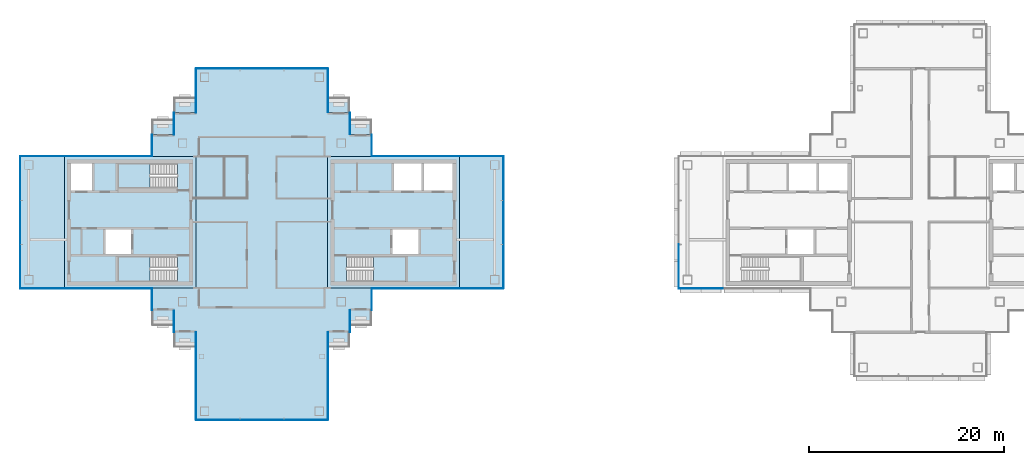
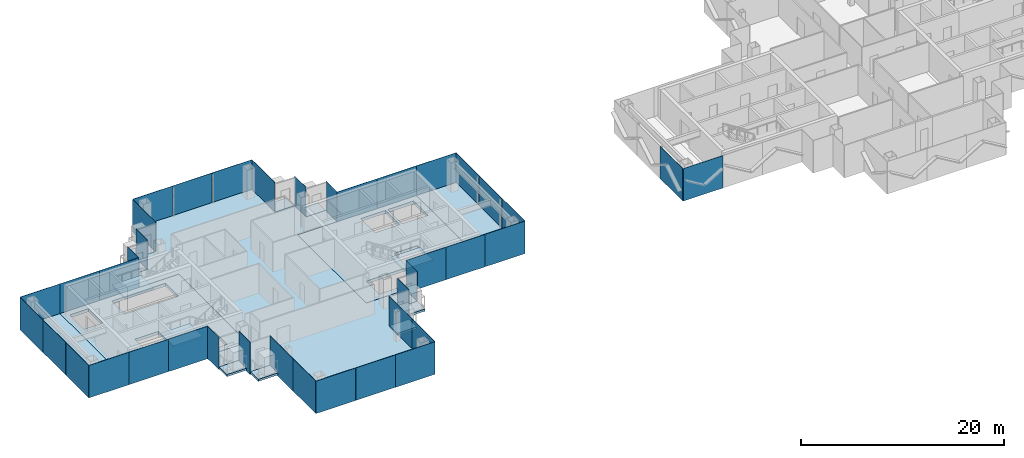
# One storey, part 7 of 17: 40 plates, 16 slabs, 25 elements without a shape of their own.
"""IFC4 building model written with IfcOpenShell, lengths in metres."""

from ifc_helpers import new_model, si_unit, direction, frame, origin, origin_2d, place, context, subcontext, project, spatial, polyline, rectangle, outline, extrude, material, layer, layer_set, type_object, element, aggregate, save


model = new_model("IFC4")

# Units and contexts
model_context = context("Model", 3, precision=1e-05, world=origin(), true_north=direction((0.0, 1.0)))
body_context = subcontext(model_context, "Body", "Model", "MODEL_VIEW")
ifc_project = project(units=[si_unit("LENGTHUNIT", "METRE"), si_unit("AREAUNIT", "SQUARE_METRE"), si_unit("VOLUMEUNIT", "CUBIC_METRE"), si_unit("PLANEANGLEUNIT", "RADIAN"), si_unit("MASSUNIT", "GRAM", prefix="KILO")], contexts=[model_context])

# Site, building, storey
site_placement = place(None, origin())
site = spatial("IfcSite", under=ifc_project, at=site_placement, CompositionType="ELEMENT")
building_placement = place(site_placement, origin())
building = spatial("IfcBuilding", under=site, at=building_placement, Name="Shamsa Quay Exchange Towers", CompositionType="ELEMENT")
storey_placement = place(building_placement, frame((0.0, 0.0, 249.89990234375)))
storey = spatial("IfcBuildingStorey", under=building, at=storey_placement, Name="L60", CompositionType="ELEMENT", Elevation=249.89990234375)

# Slabs
ifc_material_1 = material(Name="Precast concrete C40/50", Category="concrete")
ifc_layer_1 = layer(ifc_material_1, 0.25)
ifc_layer_set_1 = layer_set([ifc_layer_1], Name="BALCONY SLAB 250")
slab_type_1 = type_object("IfcSlabType", Name="BALCONY SLAB 250", PredefinedType="FLOOR", material=ifc_layer_set_1)
slab_1_placement = place(storey_placement, frame((0.0, 0.0, -0.25)))
element("IfcSlab", 1, at=slab_1_placement, inside=storey, type_object=slab_type_1, Name="Balcony T1-PKEN L60", PredefinedType="FLOOR", context=body_context, shape_type="SweptSolid", body=[
    extrude(outline(polyline([(-22.5, 9.0), (-24.7119140625, 9.0), (-24.7119140625, 10.550048828125), (-22.5, 10.550048828125), (-22.5, 9.0)])), origin(), (0.0, 0.0, 1.0), 0.25),
])
slab_2_placement = place(storey_placement, frame((0.0, 0.0, -0.25)))
element("IfcSlab", 2, at=slab_2_placement, inside=storey, type_object=slab_type_1, Name="Balcony T1-PKEN L60", PredefinedType="FLOOR", context=body_context, shape_type="SweptSolid", body=[
    extrude(outline(polyline([(-24.75, 11.25), (-26.9619140625, 11.25), (-26.9619140625, 12.800048828125), (-24.75, 12.800048828125), (-24.75, 11.25)])), origin(), (0.0, 0.0, 1.0), 0.25),
])
slab_3_placement = place(storey_placement, frame((0.0, 0.0, -0.25)))
element("IfcSlab", 3, at=slab_3_placement, inside=storey, type_object=slab_type_1, Name="Balcony T1-PKES L60", PredefinedType="FLOOR", context=body_context, shape_type="SweptSolid", body=[
    extrude(outline(polyline([(-24.7119140625, -9.0), (-22.5, -9.0), (-22.5, -10.550048828125), (-24.7119140625, -10.550048828125), (-24.7119140625, -9.0)])), origin(), (0.0, 0.0, 1.0), 0.25),
])
slab_4_placement = place(storey_placement, frame((0.0, 0.0, -0.25)))
element("IfcSlab", 4, at=slab_4_placement, inside=storey, type_object=slab_type_1, Name="Balcony T1-PKES L60", PredefinedType="FLOOR", context=body_context, shape_type="SweptSolid", body=[
    extrude(outline(polyline([(-26.9619140625, -11.25), (-24.75, -11.25), (-24.75, -12.800048828125), (-26.9619140625, -12.800048828125), (-26.9619140625, -11.25)])), origin(), (0.0, 0.0, 1.0), 0.25),
])
slab_5_placement = place(storey_placement, frame((0.0, 0.0, -0.25)))
element("IfcSlab", 5, at=slab_5_placement, inside=storey, type_object=slab_type_1, Name="Balcony T1-PKWN L60", PredefinedType="FLOOR", context=body_context, shape_type="SweptSolid", body=[
    extrude(outline(polyline([(-40.5380859375, 11.25), (-42.75, 11.25), (-42.75, 12.800048828125), (-40.5380859375, 12.800048828125), (-40.5380859375, 11.25)])), origin(), (0.0, 0.0, 1.0), 0.25),
])
slab_6_placement = place(storey_placement, frame((0.0, 0.0, -0.25)))
element("IfcSlab", 6, at=slab_6_placement, inside=storey, type_object=slab_type_1, Name="Balcony T1-PKWN L60", PredefinedType="FLOOR", context=body_context, shape_type="SweptSolid", body=[
    extrude(outline(polyline([(-42.7880859375, 9.0), (-45.0, 9.0), (-45.0, 10.550048828125), (-42.7880859375, 10.550048828125), (-42.7880859375, 9.0)])), origin(), (0.0, 0.0, 1.0), 0.25),
])
slab_7_placement = place(storey_placement, frame((0.0, 0.0, -0.25)))
element("IfcSlab", 7, at=slab_7_placement, inside=storey, type_object=slab_type_1, Name="Balcony T1-PKWS L60", PredefinedType="FLOOR", context=body_context, shape_type="SweptSolid", body=[
    extrude(outline(polyline([(-45.0, -9.0), (-42.7880859375, -9.0), (-42.7880859375, -10.550048828125), (-45.0, -10.550048828125), (-45.0, -9.0)])), origin(), (0.0, 0.0, 1.0), 0.25),
])
slab_8_placement = place(storey_placement, frame((0.0, 0.0, -0.25)))
element("IfcSlab", 8, at=slab_8_placement, inside=storey, type_object=slab_type_1, Name="Balcony T1-PKWS L60", PredefinedType="FLOOR", context=body_context, shape_type="SweptSolid", body=[
    extrude(outline(polyline([(-42.75, -11.25), (-40.5380859375, -11.25), (-40.5380859375, -12.800048828125), (-42.75, -12.800048828125), (-42.75, -11.25)])), origin(), (0.0, 0.0, 1.0), 0.25),
])
ifc_material_2 = material(Name="Concrete C50/60", Category="concrete")
ifc_layer_2 = layer(ifc_material_2, 0.35009765625)
ifc_layer_set_2 = layer_set([ifc_layer_2], Name="CORE FLOOR 350 C50/60")
slab_type_2 = type_object("IfcSlabType", Name="CORE FLOOR 350 C50/60", PredefinedType="FLOOR", material=ifc_layer_set_2)
slab_9_placement = place(storey_placement, frame((0.0, 0.0, -0.349853515625)))
element("IfcSlab", 9, at=slab_9_placement, inside=storey, type_object=slab_type_2, Name="Core floor T1A", PredefinedType="FLOOR", context=body_context, shape_type="SweptSolid", body=[
    extrude(outline(polyline([(-27.0, -6.75), (-13.5, -6.75), (-13.5, 6.75), (-27.0, 6.75), (-27.0, -6.75)]), holes=[polyline([(-25.099365234375, -6.050048828125), (-25.099365234375, -3.5), (-19.0, -3.5), (-19.0, -6.050048828125), (-25.099365234375, -6.050048828125)]), polyline([(-20.199951171875, 3.25), (-20.199951171875, 6.050048828125), (-17.39990234375, 6.050048828125), (-17.39990234375, 3.25), (-20.199951171875, 3.25)]), polyline([(-17.14990234375, 3.25), (-17.14990234375, 6.050048828125), (-14.199951171875, 6.050048828125), (-14.199951171875, 3.25), (-17.14990234375, 3.25)]), polyline([(-20.35009765625, -3.25), (-20.35009765625, -0.75), (-17.699951171875, -0.75), (-17.699951171875, -3.25), (-20.35009765625, -3.25)])]), origin(), (0.0, 0.0, 1.0), 0.349853515625),
])
slab_10_placement = place(storey_placement, frame((0.0, 0.0, -0.349853515625)))
element("IfcSlab", 10, at=slab_10_placement, inside=storey, type_object=slab_type_2, Name="Core floor T1B", PredefinedType="FLOOR", context=body_context, shape_type="SweptSolid", body=[
    extrude(outline(polyline([(-40.5, -6.75), (-40.5, 6.75), (-54.0, 6.75), (-54.0, -6.75), (-40.5, -6.75)]), holes=[polyline([(-42.400634765625, -3.5), (-42.400634765625, -6.050048828125), (-48.5, -6.050048828125), (-48.5, -3.5), (-42.400634765625, -3.5)]), polyline([(-42.400634765625, 6.050048828125), (-42.400634765625, 3.5), (-48.5, 3.5), (-48.5, 6.050048828125), (-42.400634765625, 6.050048828125)]), polyline([(-51.14990234375, 3.25), (-53.300048828125, 3.25), (-53.300048828125, 6.050048828125), (-51.14990234375, 6.050048828125), (-51.14990234375, 3.25)]), polyline([(-47.14990234375, -3.25), (-49.800048828125, -3.25), (-49.800048828125, -0.75), (-47.14990234375, -0.75), (-47.14990234375, -3.25)])]), origin(), (0.0, 0.0, 1.0), 0.349853515625),
])

# Stair, slab
ifc_material_3 = material(Name="Concrete C40/50", Category="concrete")
stair_type = type_object("IfcStairType", Name="EXIT STAIR 22 RISERS 177 MM", PredefinedType="HALF_TURN_STAIR", material=ifc_material_3)
stair_1_placement = place(storey_placement, origin())
stair_1 = element("IfcStair", 11, at=stair_1_placement, inside=storey, type_object=stair_type, Name="L60 Exit stair ST1", PredefinedType="HALF_TURN_STAIR")
ifc_layer_3 = layer(ifc_material_3, 0.199951171875)
ifc_layer_set_3 = layer_set([ifc_layer_3], Name="CORE STAIR LANDING")
slab_type_3 = type_object("IfcSlabType", Name="CORE STAIR LANDING", PredefinedType="LANDING", material=ifc_layer_set_3)
slab_11_placement = place(storey_placement, frame((0.0, 0.0, 1.75)))
slab_11 = element("IfcSlab", 12, at=slab_11_placement, type_object=slab_type_3, Name="ST1 landing 1", PredefinedType="LANDING", context=body_context, shape_type="SweptSolid", body=[
    extrude(outline(polyline([(-22.300048828125, -6.050048828125), (-19.0, -6.050048828125), (-19.0, -3.5), (-22.300048828125, -3.5), (-22.300048828125, -6.050048828125)])), origin(), (0.0, 0.0, 1.0), 0.2001953125),
])
aggregate(stair_1, [slab_11])

stair_2_placement = place(storey_placement, origin())
stair_2 = element("IfcStair", 13, at=stair_2_placement, inside=storey, type_object=stair_type, Name="L60 Exit stair ST2", PredefinedType="HALF_TURN_STAIR")
slab_12_placement = place(storey_placement, frame((0.0, 0.0, 1.75)))
slab_12 = element("IfcSlab", 14, at=slab_12_placement, type_object=slab_type_3, Name="ST2 landing 1", PredefinedType="LANDING", context=body_context, shape_type="SweptSolid", body=[
    extrude(outline(polyline([(-45.199951171875, -3.5), (-48.5, -3.5), (-48.5, -6.050048828125), (-45.199951171875, -6.050048828125), (-45.199951171875, -3.5)])), origin(), (0.0, 0.0, 1.0), 0.2001953125),
])
aggregate(stair_2, [slab_12])

stair_3_placement = place(storey_placement, origin())
stair_3 = element("IfcStair", 15, at=stair_3_placement, inside=storey, type_object=stair_type, Name="L60 Exit stair ST3", PredefinedType="HALF_TURN_STAIR")
slab_13_placement = place(storey_placement, frame((0.0, 0.0, 1.75)))
slab_13 = element("IfcSlab", 16, at=slab_13_placement, type_object=slab_type_3, Name="ST3 landing 1", PredefinedType="LANDING", context=body_context, shape_type="SweptSolid", body=[
    extrude(outline(polyline([(-45.199951171875, 6.050048828125), (-48.5, 6.050048828125), (-48.5, 3.5), (-45.199951171875, 3.5), (-45.199951171875, 6.050048828125)])), origin(), (0.0, 0.0, 1.0), 0.2001953125),
])
aggregate(stair_3, [slab_13])

# Curtain wall, plates
ifc_material_4 = material(Name="Aluminium EN AW-6063 T6, black anodised", Category="aluminium")
ifc_layer_4 = layer(ifc_material_4, 0.280029296875)
ifc_layer_set_4 = layer_set([ifc_layer_4], Name="CW-1 UNITISED VISION GLASS")
curtain_wall_type_1 = type_object("IfcCurtainWallType", Name="CW-1 UNITISED VISION GLASS", PredefinedType="NOTDEFINED", material=ifc_layer_set_4)
curtain_wall_1_placement = place(storey_placement, origin())
curtain_wall_1 = element("IfcCurtainWall", 17, at=curtain_wall_1_placement, inside=storey, type_object=curtain_wall_type_1, Name="CW1 T1-FLK-V-W L60", PredefinedType="NOTDEFINED")
ifc_material_5 = material(Name="Glass, laminated, dark tinted", Category="glass")
ifc_layer_5 = layer(ifc_material_5, 0.0400390625)
ifc_layer_set_5 = layer_set([ifc_layer_5], Name="CW-1 VISION GLASS 40")
plate_type_1 = type_object("IfcPlateType", Name="CW-1 VISION GLASS 40", PredefinedType="CURTAIN_PANEL", material=ifc_layer_set_5)
plate_1_placement = place(storey_placement, frame((-40.52001953125, -13.52587890625, -0.349853515625), z_axis=(0.0, 0.0, 1.0), x_axis=(0.0, -1.0, 0.0)))
plate_1 = element("IfcPlate", 18, at=plate_1_placement, type_object=plate_type_1, Name="CW1 glass panel", PredefinedType="CURTAIN_PANEL", context=body_context, shape_type="SweptSolid", body=[
    extrude(rectangle(XDim=4.47607421875, YDim=0.0400390625, at=origin_2d()), origin(), (0.0, 0.0, 1.0), 3.89990234375),
])
plate_2_placement = place(storey_placement, frame((-40.52001953125, -18.011962890625, -0.349853515625), z_axis=(0.0, 0.0, 1.0), x_axis=(0.0, -1.0, 0.0)))
plate_2 = element("IfcPlate", 19, at=plate_2_placement, type_object=plate_type_1, Name="CW1 glass panel", PredefinedType="CURTAIN_PANEL", context=body_context, shape_type="SweptSolid", body=[
    extrude(rectangle(XDim=4.47607421875, YDim=0.0400390625, at=origin_2d()), origin(), (0.0, 0.0, 1.0), 3.89990234375),
])
aggregate(curtain_wall_1, [plate_1, plate_2])

curtain_wall_2_placement = place(storey_placement, origin())
curtain_wall_2 = element("IfcCurtainWall", 20, at=curtain_wall_2_placement, inside=storey, type_object=curtain_wall_type_1, Name="CW1 T1-END-V- L60", PredefinedType="NOTDEFINED")
plate_3_placement = place(storey_placement, frame((-38.25244140625, -20.27001953125, -0.349853515625)))
plate_3 = element("IfcPlate", 21, at=plate_3_placement, type_object=plate_type_1, Name="CW1 glass panel", PredefinedType="CURTAIN_PANEL", context=body_context, shape_type="SweptSolid", body=[
    extrude(rectangle(XDim=4.4951171875, YDim=0.0400390625, at=origin_2d()), origin(), (0.0, 0.0, 1.0), 3.89990234375),
])
plate_4_placement = place(storey_placement, frame((-33.75, -20.27001953125, -0.349853515625)))
plate_4 = element("IfcPlate", 22, at=plate_4_placement, type_object=plate_type_1, Name="CW1 glass panel", PredefinedType="CURTAIN_PANEL", context=body_context, shape_type="SweptSolid", body=[
    extrude(rectangle(XDim=4.489990234375, YDim=0.0400390625, at=origin_2d()), origin(), (0.0, 0.0, 1.0), 3.89990234375),
])
plate_5_placement = place(storey_placement, frame((-29.24755859375, -20.27001953125, -0.349853515625)))
plate_5 = element("IfcPlate", 23, at=plate_5_placement, type_object=plate_type_1, Name="CW1 glass panel", PredefinedType="CURTAIN_PANEL", context=body_context, shape_type="SweptSolid", body=[
    extrude(rectangle(XDim=4.4951171875, YDim=0.0400390625, at=origin_2d()), origin(), (0.0, 0.0, 1.0), 3.89990234375),
])
aggregate(curtain_wall_2, [plate_3, plate_4, plate_5])

curtain_wall_3_placement = place(storey_placement, origin())
curtain_wall_3 = element("IfcCurtainWall", 24, at=curtain_wall_3_placement, inside=storey, type_object=curtain_wall_type_1, Name="CW1 T1-FLK-V-E L60", PredefinedType="NOTDEFINED")
plate_6_placement = place(storey_placement, frame((-26.97998046875, -18.00244140625, -0.349853515625), z_axis=(0.0, 0.0, 1.0), x_axis=(0.0, 1.0, 0.0)))
plate_6 = element("IfcPlate", 25, at=plate_6_placement, type_object=plate_type_1, Name="CW1 glass panel", PredefinedType="CURTAIN_PANEL", context=body_context, shape_type="SweptSolid", body=[
    extrude(rectangle(XDim=4.4951171875, YDim=0.0400390625, at=origin_2d()), origin(), (0.0, 0.0, 1.0), 3.89990234375),
])
plate_7_placement = place(storey_placement, frame((-26.97998046875, -13.49755859375, -0.349853515625), z_axis=(0.0, 0.0, 1.0), x_axis=(0.0, 1.0, 0.0)))
plate_7 = element("IfcPlate", 26, at=plate_7_placement, type_object=plate_type_1, Name="CW1 glass panel", PredefinedType="CURTAIN_PANEL", context=body_context, shape_type="SweptSolid", body=[
    extrude(rectangle(XDim=4.4951171875, YDim=0.0400390625, at=origin_2d()), origin(), (0.0, 0.0, 1.0), 3.89990234375),
])
aggregate(curtain_wall_3, [plate_6, plate_7])

# Curtain wall, plate
curtain_wall_4_placement = place(storey_placement, origin())
curtain_wall_4 = element("IfcCurtainWall", 27, at=curtain_wall_4_placement, inside=storey, type_object=curtain_wall_type_1, Name="CW1 T1-FLK-U+S L60", PredefinedType="NOTDEFINED")
plate_8_placement = place(storey_placement, frame((-11.25, -6.77001953125, -0.349853515625)))
plate_8 = element("IfcPlate", 28, at=plate_8_placement, type_object=plate_type_1, Name="CW1 glass panel", PredefinedType="CURTAIN_PANEL", context=body_context, shape_type="SweptSolid", body=[
    extrude(rectangle(XDim=4.5, YDim=0.0400390625, at=origin_2d()), origin(), (0.0, 0.0, 1.0), 3.89990234375),
])
aggregate(curtain_wall_4, [plate_8])

# Curtain wall, plates
curtain_wall_5_placement = place(storey_placement, origin())
curtain_wall_5 = element("IfcCurtainWall", 29, at=curtain_wall_5_placement, inside=storey, type_object=curtain_wall_type_1, Name="CW1 T1-END-U+ L60", PredefinedType="NOTDEFINED")
plate_9_placement = place(storey_placement, frame((-8.97998046875, -4.50244140625, -0.349853515625), z_axis=(0.0, 0.0, 1.0), x_axis=(0.0, 1.0, 0.0)))
plate_9 = element("IfcPlate", 30, at=plate_9_placement, type_object=plate_type_1, Name="CW1 glass panel", PredefinedType="CURTAIN_PANEL", context=body_context, shape_type="SweptSolid", body=[
    extrude(rectangle(XDim=4.4951171875, YDim=0.0400390625, at=origin_2d()), origin(), (0.0, 0.0, 1.0), 3.89990234375),
])
plate_10_placement = place(storey_placement, frame((-8.97998046875, 0.0, -0.349853515625), z_axis=(0.0, 0.0, 1.0), x_axis=(0.0, 1.0, 0.0)))
plate_10 = element("IfcPlate", 31, at=plate_10_placement, type_object=plate_type_1, Name="CW1 glass panel", PredefinedType="CURTAIN_PANEL", context=body_context, shape_type="SweptSolid", body=[
    extrude(rectangle(XDim=4.489990234375, YDim=0.0400390625, at=origin_2d()), origin(), (0.0, 0.0, 1.0), 3.89990234375),
])
plate_11_placement = place(storey_placement, frame((-8.97998046875, 4.50244140625, -0.349853515625), z_axis=(0.0, 0.0, 1.0), x_axis=(0.0, 1.0, 0.0)))
plate_11 = element("IfcPlate", 32, at=plate_11_placement, type_object=plate_type_1, Name="CW1 glass panel", PredefinedType="CURTAIN_PANEL", context=body_context, shape_type="SweptSolid", body=[
    extrude(rectangle(XDim=4.4951171875, YDim=0.0400390625, at=origin_2d()), origin(), (0.0, 0.0, 1.0), 3.89990234375),
])
aggregate(curtain_wall_5, [plate_9, plate_10, plate_11])

# Curtain wall, plate
curtain_wall_6_placement = place(storey_placement, origin())
curtain_wall_6 = element("IfcCurtainWall", 33, at=curtain_wall_6_placement, inside=storey, type_object=curtain_wall_type_1, Name="CW1 T1-FLK-U+N L60", PredefinedType="NOTDEFINED")
plate_12_placement = place(storey_placement, frame((-11.25, 6.77001953125, -0.349853515625), z_axis=(0.0, 0.0, 1.0), x_axis=(-1.0, 0.0, 0.0)))
plate_12 = element("IfcPlate", 34, at=plate_12_placement, type_object=plate_type_1, Name="CW1 glass panel", PredefinedType="CURTAIN_PANEL", context=body_context, shape_type="SweptSolid", body=[
    extrude(rectangle(XDim=4.5, YDim=0.0400390625, at=origin_2d()), origin(), (0.0, 0.0, 1.0), 3.89990234375),
])
aggregate(curtain_wall_6, [plate_12])

curtain_wall_7_placement = place(storey_placement, origin())
curtain_wall_7 = element("IfcCurtainWall", 35, at=curtain_wall_7_placement, inside=storey, type_object=curtain_wall_type_1, Name="CW1 T1-FLK-V+E L60", PredefinedType="NOTDEFINED")
plate_13_placement = place(storey_placement, frame((-26.97998046875, 13.51904296875, -0.349853515625), z_axis=(0.0, 0.0, 1.0), x_axis=(0.0, 1.0, 0.0)))
plate_13 = element("IfcPlate", 36, at=plate_13_placement, type_object=plate_type_1, Name="CW1 glass panel", PredefinedType="CURTAIN_PANEL", context=body_context, shape_type="SweptSolid", body=[
    extrude(rectangle(XDim=4.4619140625, YDim=0.0400390625, at=origin_2d()), origin(), (0.0, 0.0, 1.0), 3.89990234375),
])
aggregate(curtain_wall_7, [plate_13])

# Curtain wall, plates
curtain_wall_8_placement = place(storey_placement, origin())
curtain_wall_8 = element("IfcCurtainWall", 37, at=curtain_wall_8_placement, inside=storey, type_object=curtain_wall_type_1, Name="CW1 T1-END-V+ L60", PredefinedType="NOTDEFINED")
plate_14_placement = place(storey_placement, frame((-29.24755859375, 15.77001953125, -0.349853515625), z_axis=(0.0, 0.0, 1.0), x_axis=(-1.0, 0.0, 0.0)))
plate_14 = element("IfcPlate", 38, at=plate_14_placement, type_object=plate_type_1, Name="CW1 glass panel", PredefinedType="CURTAIN_PANEL", context=body_context, shape_type="SweptSolid", body=[
    extrude(rectangle(XDim=4.4951171875, YDim=0.0400390625, at=origin_2d()), origin(), (0.0, 0.0, 1.0), 3.89990234375),
])
plate_15_placement = place(storey_placement, frame((-33.75, 15.77001953125, -0.349853515625), z_axis=(0.0, 0.0, 1.0), x_axis=(-1.0, 0.0, 0.0)))
plate_15 = element("IfcPlate", 39, at=plate_15_placement, type_object=plate_type_1, Name="CW1 glass panel", PredefinedType="CURTAIN_PANEL", context=body_context, shape_type="SweptSolid", body=[
    extrude(rectangle(XDim=4.489990234375, YDim=0.0400390625, at=origin_2d()), origin(), (0.0, 0.0, 1.0), 3.89990234375),
])
plate_16_placement = place(storey_placement, frame((-38.25244140625, 15.77001953125, -0.349853515625), z_axis=(0.0, 0.0, 1.0), x_axis=(-1.0, 0.0, 0.0)))
plate_16 = element("IfcPlate", 40, at=plate_16_placement, type_object=plate_type_1, Name="CW1 glass panel", PredefinedType="CURTAIN_PANEL", context=body_context, shape_type="SweptSolid", body=[
    extrude(rectangle(XDim=4.4951171875, YDim=0.0400390625, at=origin_2d()), origin(), (0.0, 0.0, 1.0), 3.89990234375),
])
aggregate(curtain_wall_8, [plate_14, plate_15, plate_16])

# Curtain wall, plate
curtain_wall_9_placement = place(storey_placement, origin())
curtain_wall_9 = element("IfcCurtainWall", 41, at=curtain_wall_9_placement, inside=storey, type_object=curtain_wall_type_1, Name="CW1 T1-FLK-V+W L60", PredefinedType="NOTDEFINED")
plate_17_placement = place(storey_placement, frame((-40.52001953125, 13.5, -0.349853515625), z_axis=(0.0, 0.0, 1.0), x_axis=(0.0, -1.0, 0.0)))
plate_17 = element("IfcPlate", 42, at=plate_17_placement, type_object=plate_type_1, Name="CW1 glass panel", PredefinedType="CURTAIN_PANEL", context=body_context, shape_type="SweptSolid", body=[
    extrude(rectangle(XDim=4.5, YDim=0.0400390625, at=origin_2d()), origin(), (0.0, 0.0, 1.0), 3.89990234375),
])
aggregate(curtain_wall_9, [plate_17])

curtain_wall_10_placement = place(storey_placement, origin())
curtain_wall_10 = element("IfcCurtainWall", 43, at=curtain_wall_10_placement, inside=storey, type_object=curtain_wall_type_1, Name="CW1 T1-FLK-U-N L60", PredefinedType="NOTDEFINED")
plate_18_placement = place(storey_placement, frame((-56.25, 6.77001953125, -0.349853515625), z_axis=(0.0, 0.0, 1.0), x_axis=(-1.0, 0.0, 0.0)))
plate_18 = element("IfcPlate", 44, at=plate_18_placement, type_object=plate_type_1, Name="CW1 glass panel", PredefinedType="CURTAIN_PANEL", context=body_context, shape_type="SweptSolid", body=[
    extrude(rectangle(XDim=4.5, YDim=0.0400390625, at=origin_2d()), origin(), (0.0, 0.0, 1.0), 3.89990234375),
])
aggregate(curtain_wall_10, [plate_18])

# Curtain wall, plates
curtain_wall_11_placement = place(storey_placement, origin())
curtain_wall_11 = element("IfcCurtainWall", 45, at=curtain_wall_11_placement, inside=storey, type_object=curtain_wall_type_1, Name="CW1 T1-END-U- L60", PredefinedType="NOTDEFINED")
plate_19_placement = place(storey_placement, frame((-58.52001953125, 4.50244140625, -0.349853515625), z_axis=(0.0, 0.0, 1.0), x_axis=(0.0, -1.0, 0.0)))
plate_19 = element("IfcPlate", 46, at=plate_19_placement, type_object=plate_type_1, Name="CW1 glass panel", PredefinedType="CURTAIN_PANEL", context=body_context, shape_type="SweptSolid", body=[
    extrude(rectangle(XDim=4.4951171875, YDim=0.0400390625, at=origin_2d()), origin(), (0.0, 0.0, 1.0), 3.89990234375),
])
plate_20_placement = place(storey_placement, frame((-58.52001953125, 0.0, -0.349853515625), z_axis=(0.0, 0.0, 1.0), x_axis=(0.0, -1.0, 0.0)))
plate_20 = element("IfcPlate", 47, at=plate_20_placement, type_object=plate_type_1, Name="CW1 glass panel", PredefinedType="CURTAIN_PANEL", context=body_context, shape_type="SweptSolid", body=[
    extrude(rectangle(XDim=4.489990234375, YDim=0.0400390625, at=origin_2d()), origin(), (0.0, 0.0, 1.0), 3.89990234375),
])
plate_21_placement = place(storey_placement, frame((-58.52001953125, -4.50244140625, -0.349853515625), z_axis=(0.0, 0.0, 1.0), x_axis=(0.0, -1.0, 0.0)))
plate_21 = element("IfcPlate", 48, at=plate_21_placement, type_object=plate_type_1, Name="CW1 glass panel", PredefinedType="CURTAIN_PANEL", context=body_context, shape_type="SweptSolid", body=[
    extrude(rectangle(XDim=4.4951171875, YDim=0.0400390625, at=origin_2d()), origin(), (0.0, 0.0, 1.0), 3.89990234375),
])
aggregate(curtain_wall_11, [plate_19, plate_20, plate_21])

# Curtain wall, plate
curtain_wall_12_placement = place(storey_placement, origin())
curtain_wall_12 = element("IfcCurtainWall", 49, at=curtain_wall_12_placement, inside=storey, type_object=curtain_wall_type_1, Name="CW1 T1-FLK-U-S L60", PredefinedType="NOTDEFINED")
plate_22_placement = place(storey_placement, frame((-56.25, -6.77001953125, -0.349853515625)))
plate_22 = element("IfcPlate", 50, at=plate_22_placement, type_object=plate_type_1, Name="CW1 glass panel", PredefinedType="CURTAIN_PANEL", context=body_context, shape_type="SweptSolid", body=[
    extrude(rectangle(XDim=4.5, YDim=0.0400390625, at=origin_2d()), origin(), (0.0, 0.0, 1.0), 3.89990234375),
])
aggregate(curtain_wall_12, [plate_22])

curtain_wall_13_placement = place(storey_placement, origin())
curtain_wall_13 = element("IfcCurtainWall", 51, at=curtain_wall_13_placement, inside=storey, type_object=curtain_wall_type_1, Name="CW1 T2-END-V+ L60", PredefinedType="NOTDEFINED")
plate_23_placement = place(storey_placement, frame((8.97998046875, -4.50244140625, -0.349853515625), z_axis=(0.0, 0.0, 1.0), x_axis=(0.0, -1.0, 0.0)))
plate_23 = element("IfcPlate", 52, at=plate_23_placement, type_object=plate_type_1, Name="CW1 glass panel", PredefinedType="CURTAIN_PANEL", context=body_context, shape_type="SweptSolid", body=[
    extrude(rectangle(XDim=4.4951171875, YDim=0.0400390625, at=origin_2d()), origin(), (0.0, 0.0, 1.0), 3.89990234375),
])
aggregate(curtain_wall_13, [plate_23])

curtain_wall_14_placement = place(storey_placement, origin())
curtain_wall_14 = element("IfcCurtainWall", 53, at=curtain_wall_14_placement, inside=storey, type_object=curtain_wall_type_1, Name="CW1 T2-FLK-V+W L60", PredefinedType="NOTDEFINED")
plate_24_placement = place(storey_placement, frame((11.25, -6.77001953125, -0.349853515625)))
plate_24 = element("IfcPlate", 54, at=plate_24_placement, type_object=plate_type_1, Name="CW1 glass panel", PredefinedType="CURTAIN_PANEL", context=body_context, shape_type="SweptSolid", body=[
    extrude(rectangle(XDim=4.5, YDim=0.0400390625, at=origin_2d()), origin(), (0.0, 0.0, 1.0), 3.89990234375),
])
aggregate(curtain_wall_14, [plate_24])

# Curtain wall, plates
ifc_layer_6 = layer(ifc_material_4, 0.303955078125)
ifc_layer_set_6 = layer_set([ifc_layer_6], Name="CW-2 UNITISED OPAQUE SPANDREL GLASS")
curtain_wall_type_2 = type_object("IfcCurtainWallType", Name="CW-2 UNITISED OPAQUE SPANDREL GLASS", PredefinedType="NOTDEFINED", material=ifc_layer_set_6)
curtain_wall_15_placement = place(storey_placement, origin())
curtain_wall_15 = element("IfcCurtainWall", 55, at=curtain_wall_15_placement, inside=storey, type_object=curtain_wall_type_2, Name="CW2 T1-FLK-U+S L60", PredefinedType="NOTDEFINED")
ifc_material_6 = material(Name="Glass, laminated, black enamelled opaque", Category="glass")
ifc_layer_7 = layer(ifc_material_6, 0.0439453125)
ifc_layer_set_7 = layer_set([ifc_layer_7], Name="CW-2 SPANDREL GLASS 44")
plate_type_2 = type_object("IfcPlateType", Name="CW-2 SPANDREL GLASS 44", PredefinedType="CURTAIN_PANEL", material=ifc_layer_set_7)
plate_25_placement = place(storey_placement, frame((-20.22412109375, -6.77197265625, -0.349853515625)))
plate_25 = element("IfcPlate", 56, at=plate_25_placement, type_object=plate_type_2, Name="CW2 glass panel", PredefinedType="CURTAIN_PANEL", context=body_context, shape_type="SweptSolid", body=[
    extrude(rectangle(XDim=4.47607421875, YDim=0.0439453125, at=origin_2d()), origin(), (0.0, 0.0, 1.0), 3.89990234375),
])
plate_26_placement = place(storey_placement, frame((-15.738037109375, -6.77197265625, -0.349853515625)))
plate_26 = element("IfcPlate", 57, at=plate_26_placement, type_object=plate_type_2, Name="CW2 glass panel", PredefinedType="CURTAIN_PANEL", context=body_context, shape_type="SweptSolid", body=[
    extrude(rectangle(XDim=4.47607421875, YDim=0.0439453125, at=origin_2d()), origin(), (0.0, 0.0, 1.0), 3.89990234375),
])
aggregate(curtain_wall_15, [plate_25, plate_26])

curtain_wall_16_placement = place(storey_placement, origin())
curtain_wall_16 = element("IfcCurtainWall", 58, at=curtain_wall_16_placement, inside=storey, type_object=curtain_wall_type_2, Name="CW2 T1-FLK-U+N L60", PredefinedType="NOTDEFINED")
plate_27_placement = place(storey_placement, frame((-15.74755859375, 6.77197265625, -0.349853515625), z_axis=(0.0, 0.0, 1.0), x_axis=(-1.0, 0.0, 0.0)))
plate_27 = element("IfcPlate", 59, at=plate_27_placement, type_object=plate_type_2, Name="CW2 glass panel", PredefinedType="CURTAIN_PANEL", context=body_context, shape_type="SweptSolid", body=[
    extrude(rectangle(XDim=4.4951171875, YDim=0.0439453125, at=origin_2d()), origin(), (0.0, 0.0, 1.0), 3.89990234375),
])
plate_28_placement = place(storey_placement, frame((-20.25244140625, 6.77197265625, -0.349853515625), z_axis=(0.0, 0.0, 1.0), x_axis=(-1.0, 0.0, 0.0)))
plate_28 = element("IfcPlate", 60, at=plate_28_placement, type_object=plate_type_2, Name="CW2 glass panel", PredefinedType="CURTAIN_PANEL", context=body_context, shape_type="SweptSolid", body=[
    extrude(rectangle(XDim=4.4951171875, YDim=0.0439453125, at=origin_2d()), origin(), (0.0, 0.0, 1.0), 3.89990234375),
])
aggregate(curtain_wall_16, [plate_27, plate_28])

curtain_wall_17_placement = place(storey_placement, origin())
curtain_wall_17 = element("IfcCurtainWall", 61, at=curtain_wall_17_placement, inside=storey, type_object=curtain_wall_type_2, Name="CW2 T1-FLK-U-N L60", PredefinedType="NOTDEFINED")
plate_29_placement = place(storey_placement, frame((-47.27587890625, 6.77197265625, -0.349853515625), z_axis=(0.0, 0.0, 1.0), x_axis=(-1.0, 0.0, 0.0)))
plate_29 = element("IfcPlate", 62, at=plate_29_placement, type_object=plate_type_2, Name="CW2 glass panel", PredefinedType="CURTAIN_PANEL", context=body_context, shape_type="SweptSolid", body=[
    extrude(rectangle(XDim=4.47607421875, YDim=0.0439453125, at=origin_2d()), origin(), (0.0, 0.0, 1.0), 3.89990234375),
])
plate_30_placement = place(storey_placement, frame((-51.761962890625, 6.77197265625, -0.349853515625), z_axis=(0.0, 0.0, 1.0), x_axis=(-1.0, 0.0, 0.0)))
plate_30 = element("IfcPlate", 63, at=plate_30_placement, type_object=plate_type_2, Name="CW2 glass panel", PredefinedType="CURTAIN_PANEL", context=body_context, shape_type="SweptSolid", body=[
    extrude(rectangle(XDim=4.47607421875, YDim=0.0439453125, at=origin_2d()), origin(), (0.0, 0.0, 1.0), 3.89990234375),
])
aggregate(curtain_wall_17, [plate_29, plate_30])

curtain_wall_18_placement = place(storey_placement, origin())
curtain_wall_18 = element("IfcCurtainWall", 64, at=curtain_wall_18_placement, inside=storey, type_object=curtain_wall_type_2, Name="CW2 T1-FLK-U-S L60", PredefinedType="NOTDEFINED")
plate_31_placement = place(storey_placement, frame((-51.75244140625, -6.77197265625, -0.349853515625)))
plate_31 = element("IfcPlate", 65, at=plate_31_placement, type_object=plate_type_2, Name="CW2 glass panel", PredefinedType="CURTAIN_PANEL", context=body_context, shape_type="SweptSolid", body=[
    extrude(rectangle(XDim=4.4951171875, YDim=0.0439453125, at=origin_2d()), origin(), (0.0, 0.0, 1.0), 3.89990234375),
])
plate_32_placement = place(storey_placement, frame((-47.24755859375, -6.77197265625, -0.349853515625)))
plate_32 = element("IfcPlate", 66, at=plate_32_placement, type_object=plate_type_2, Name="CW2 glass panel", PredefinedType="CURTAIN_PANEL", context=body_context, shape_type="SweptSolid", body=[
    extrude(rectangle(XDim=4.4951171875, YDim=0.0439453125, at=origin_2d()), origin(), (0.0, 0.0, 1.0), 3.89990234375),
])
aggregate(curtain_wall_18, [plate_31, plate_32])

ifc_layer_8 = layer(ifc_material_4, 0.256103515625)
ifc_layer_set_8 = layer_set([ifc_layer_8], Name="CW-4 POCKET SERRATED GLAZING")
curtain_wall_type_3 = type_object("IfcCurtainWallType", Name="CW-4 POCKET SERRATED GLAZING", PredefinedType="NOTDEFINED", material=ifc_layer_set_8)
curtain_wall_19_placement = place(storey_placement, origin())
curtain_wall_19 = element("IfcCurtainWall", 67, at=curtain_wall_19_placement, inside=storey, type_object=curtain_wall_type_3, Name="CW4 PKWS L60", PredefinedType="NOTDEFINED")
ifc_layer_9 = layer(ifc_material_5, 0.035888671875)
ifc_layer_set_9 = layer_set([ifc_layer_9], Name="CW-4 POCKET GLASS 36")
plate_type_3 = type_object("IfcPlateType", Name="CW-4 POCKET GLASS 36", PredefinedType="CURTAIN_PANEL", material=ifc_layer_set_9)
plate_33_placement = place(storey_placement, frame((-42.76806640625, -10.14404296875, -0.349853515625), z_axis=(0.0, 0.0, 1.0), x_axis=(0.0, -1.0, 0.0)))
plate_33 = element("IfcPlate", 68, at=plate_33_placement, type_object=plate_type_3, Name="CW4 glass panel", PredefinedType="CURTAIN_PANEL", context=body_context, shape_type="SweptSolid", body=[
    extrude(rectangle(XDim=2.2119140625, YDim=0.035888671875, at=origin_2d()), origin(), (0.0, 0.0, 1.0), 3.89990234375),
])
plate_34_placement = place(storey_placement, frame((-45.01806640625, -7.89794921875, -0.349853515625), z_axis=(0.0, 0.0, 1.0), x_axis=(0.0, -1.0, 0.0)))
plate_34 = element("IfcPlate", 69, at=plate_34_placement, type_object=plate_type_3, Name="CW4 glass panel", PredefinedType="CURTAIN_PANEL", context=body_context, shape_type="SweptSolid", body=[
    extrude(rectangle(XDim=2.2041015625, YDim=0.035888671875, at=origin_2d()), origin(), (0.0, 0.0, 1.0), 3.89990234375),
])
aggregate(curtain_wall_19, [plate_33, plate_34])

curtain_wall_20_placement = place(storey_placement, origin())
curtain_wall_20 = element("IfcCurtainWall", 70, at=curtain_wall_20_placement, inside=storey, type_object=curtain_wall_type_3, Name="CW4 PKES L60", PredefinedType="NOTDEFINED")
plate_35_placement = place(storey_placement, frame((-24.73193359375, -10.125, -0.349853515625), z_axis=(0.0, 0.0, 1.0), x_axis=(0.0, 1.0, 0.0)))
plate_35 = element("IfcPlate", 71, at=plate_35_placement, type_object=plate_type_3, Name="CW4 glass panel", PredefinedType="CURTAIN_PANEL", context=body_context, shape_type="SweptSolid", body=[
    extrude(rectangle(XDim=2.25, YDim=0.035888671875, at=origin_2d()), origin(), (0.0, 0.0, 1.0), 3.89990234375),
])
plate_36_placement = place(storey_placement, frame((-22.48193359375, -7.875, -0.349853515625), z_axis=(0.0, 0.0, 1.0), x_axis=(0.0, 1.0, 0.0)))
plate_36 = element("IfcPlate", 72, at=plate_36_placement, type_object=plate_type_3, Name="CW4 glass panel", PredefinedType="CURTAIN_PANEL", context=body_context, shape_type="SweptSolid", body=[
    extrude(rectangle(XDim=2.25, YDim=0.035888671875, at=origin_2d()), origin(), (0.0, 0.0, 1.0), 3.89990234375),
])
aggregate(curtain_wall_20, [plate_35, plate_36])

curtain_wall_21_placement = place(storey_placement, origin())
curtain_wall_21 = element("IfcCurtainWall", 73, at=curtain_wall_21_placement, inside=storey, type_object=curtain_wall_type_3, Name="CW4 PKEN L60", PredefinedType="NOTDEFINED")
plate_37_placement = place(storey_placement, frame((-22.48193359375, 7.89794921875, -0.349853515625), z_axis=(0.0, 0.0, 1.0), x_axis=(0.0, 1.0, 0.0)))
plate_37 = element("IfcPlate", 74, at=plate_37_placement, type_object=plate_type_3, Name="CW4 glass panel", PredefinedType="CURTAIN_PANEL", context=body_context, shape_type="SweptSolid", body=[
    extrude(rectangle(XDim=2.2041015625, YDim=0.035888671875, at=origin_2d()), origin(), (0.0, 0.0, 1.0), 3.89990234375),
])
plate_38_placement = place(storey_placement, frame((-24.73193359375, 10.14404296875, -0.349853515625), z_axis=(0.0, 0.0, 1.0), x_axis=(0.0, 1.0, 0.0)))
plate_38 = element("IfcPlate", 75, at=plate_38_placement, type_object=plate_type_3, Name="CW4 glass panel", PredefinedType="CURTAIN_PANEL", context=body_context, shape_type="SweptSolid", body=[
    extrude(rectangle(XDim=2.2119140625, YDim=0.035888671875, at=origin_2d()), origin(), (0.0, 0.0, 1.0), 3.89990234375),
])
aggregate(curtain_wall_21, [plate_37, plate_38])

curtain_wall_22_placement = place(storey_placement, origin())
curtain_wall_22 = element("IfcCurtainWall", 76, at=curtain_wall_22_placement, inside=storey, type_object=curtain_wall_type_3, Name="CW4 PKWN L60", PredefinedType="NOTDEFINED")
plate_39_placement = place(storey_placement, frame((-42.76806640625, 10.125, -0.349853515625), z_axis=(0.0, 0.0, 1.0), x_axis=(0.0, -1.0, 0.0)))
plate_39 = element("IfcPlate", 77, at=plate_39_placement, type_object=plate_type_3, Name="CW4 glass panel", PredefinedType="CURTAIN_PANEL", context=body_context, shape_type="SweptSolid", body=[
    extrude(rectangle(XDim=2.25, YDim=0.035888671875, at=origin_2d()), origin(), (0.0, 0.0, 1.0), 3.89990234375),
])
plate_40_placement = place(storey_placement, frame((-45.01806640625, 7.875, -0.349853515625), z_axis=(0.0, 0.0, 1.0), x_axis=(0.0, -1.0, 0.0)))
plate_40 = element("IfcPlate", 78, at=plate_40_placement, type_object=plate_type_3, Name="CW4 glass panel", PredefinedType="CURTAIN_PANEL", context=body_context, shape_type="SweptSolid", body=[
    extrude(rectangle(XDim=2.25, YDim=0.035888671875, at=origin_2d()), origin(), (0.0, 0.0, 1.0), 3.89990234375),
])
aggregate(curtain_wall_22, [plate_39, plate_40])

# Slabs
ifc_layer_10 = layer(ifc_material_3, 0.35009765625)
ifc_layer_set_10 = layer_set([ifc_layer_10], Name="Flat slab 350")
slab_type_4 = type_object("IfcSlabType", Name="Flat slab 350", PredefinedType="FLOOR", material=ifc_layer_set_10)
slab_14_placement = place(storey_placement, frame((0.0, 0.0, -0.349853515625)))
element("IfcSlab", 79, at=slab_14_placement, inside=storey, type_object=slab_type_4, Name="Flat slab T1 L60 1", PredefinedType="FLOOR", context=body_context, shape_type="SweptSolid", body=[
    extrude(outline(polyline([(-58.5, -6.75), (-54.0, -6.75), (-54.0, 6.75), (-58.5, 6.75), (-58.5, -6.75)])), origin(), (0.0, 0.0, 1.0), 0.349853515625),
])
slab_15_placement = place(storey_placement, frame((0.0, 0.0, -0.349853515625)))
element("IfcSlab", 80, at=slab_15_placement, inside=storey, type_object=slab_type_4, Name="Flat slab T1 L60 2", PredefinedType="FLOOR", context=body_context, shape_type="SweptSolid", body=[
    extrude(outline(polyline([(-22.5, -9.0), (-22.5, -6.75), (-27.0, -6.75), (-27.0, 6.75), (-22.5, 6.75), (-22.5, 9.0), (-24.75, 9.0), (-24.75, 11.25), (-27.0, 11.25), (-27.0, 15.75), (-40.5, 15.75), (-40.5, 11.25), (-42.75, 11.25), (-42.75, 9.0), (-45.0, 9.0), (-45.0, 6.75), (-40.5, 6.75), (-40.5, -6.75), (-45.0, -6.75), (-45.0, -9.0), (-42.75, -9.0), (-42.75, -11.25), (-40.5, -11.25), (-40.5, -20.25), (-27.0, -20.25), (-27.0, -11.25), (-24.75, -11.25), (-24.75, -9.0), (-22.5, -9.0)])), origin(), (0.0, 0.0, 1.0), 0.349853515625),
])
slab_16_placement = place(storey_placement, frame((0.0, 0.0, -0.349853515625)))
element("IfcSlab", 81, at=slab_16_placement, inside=storey, type_object=slab_type_4, Name="Flat slab T1 L60 3", PredefinedType="FLOOR", context=body_context, shape_type="SweptSolid", body=[
    extrude(outline(polyline([(-9.0, 6.75), (-13.5, 6.75), (-13.5, -6.75), (-9.0, -6.75), (-9.0, 6.75)])), origin(), (0.0, 0.0, 1.0), 0.349853515625),
])

save(model, "model.ifc")
